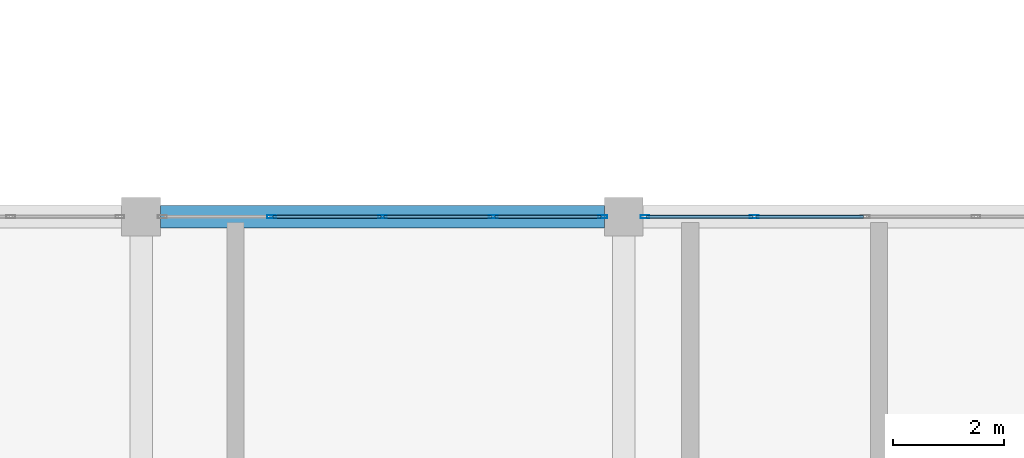
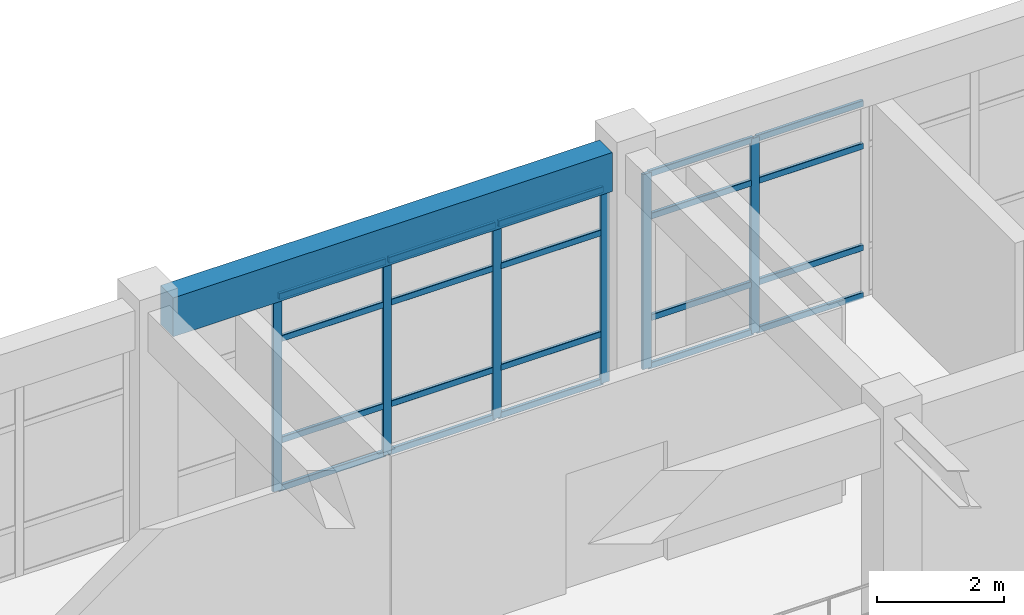
# One storey, part 34 of 64: 26 members, 1 beam, 2 elements without a shape of their own.
"""IFC4 building model written with IfcOpenShell, lengths in metres."""

import ifcopenshell
import ifcopenshell.guid

model = None  # the IFC model being written
_history = None  # IfcOwnerHistory: only IFC2X3 demands one
_inside = {}  # id of a spatial element -> (the spatial element, [elements in it])
_under = {}  # id of a project, library or spatial element -> (it, [spatial elements below it])
_declared = {}  # id of a project -> (the project, [libraries it declares])
_typed = {}  # id of a type object -> (the type object, [elements of that type])
_made_of = {}  # id of a material, layer set ... -> (it, [elements and type objects made of it])


def new_model(schema):
    """Start an empty IFC model of exactly this schema.

    Asked for "IFC4X3", IfcOpenShell would pick the latest addendum, in which some entities
    have other attributes; the version numbers below select the first issue.
    IFC2X3 requires an IfcOwnerHistory on every rooted entity: one is made here for all.
    """
    global model, _history
    if schema == "IFC4X3":
        model = ifcopenshell.file(schema_version=(4, 3, 0, 0))
    else:
        model = ifcopenshell.file(schema=schema)
    _inside.clear()
    _under.clear()
    _declared.clear()
    _typed.clear()
    _made_of.clear()
    _history = None
    if model.schema == "IFC2X3":
        org = make("IfcOrganization", Name="unknown")
        user = make(
            "IfcPersonAndOrganization",
            ThePerson=make("IfcPerson", FamilyName="unknown"),
            TheOrganization=org,
        )
        app = make(
            "IfcApplication",
            ApplicationDeveloper=org,
            Version="unknown",
            ApplicationFullName="unknown",
            ApplicationIdentifier="unknown",
        )
        _history = make(
            "IfcOwnerHistory",
            OwningUser=user,
            OwningApplication=app,
            ChangeAction="ADDED",
            CreationDate=0,
        )
    return model


def make(cls, **values):
    """One entity of the class cls with the attributes given. An attribute that is None is left unset."""
    return model.create_entity(
        cls, **{name: value for name, value in values.items() if value is not None}
    )


def rooted(cls, **values):
    """An entity with a GlobalId (a new one), such as an element, a storey or a relation."""
    return make(cls, GlobalId=ifcopenshell.guid.new(), OwnerHistory=_history, **values)


def si_unit(unit_type, name, prefix=None):
    """IfcSIUnit, for example si_unit("LENGTHUNIT", "METRE", prefix="MILLI")."""
    return make("IfcSIUnit", UnitType=unit_type, Prefix=prefix, Name=name)


def derived_unit(unit_type, elements):
    """IfcDerivedUnit: a product of units, each with its exponent."""
    return make(
        "IfcDerivedUnit",
        Elements=[
            make("IfcDerivedUnitElement", Unit=unit, Exponent=power)
            for unit, power in elements
        ],
        UnitType=unit_type,
    )


def assignment(units):
    """IfcUnitAssignment: the units of a project."""
    return None if units is None else make("IfcUnitAssignment", Units=units)


def point(xyz):
    """IfcCartesianPoint."""
    return None if xyz is None else make("IfcCartesianPoint", Coordinates=xyz)


def direction(xyz):
    """IfcDirection."""
    return None if xyz is None else make("IfcDirection", DirectionRatios=xyz)


def frame(location, z_axis=None, x_axis=None):
    """IfcAxis2Placement3D, a coordinate frame: its origin and axes. An axis left out is left unset."""
    return make(
        "IfcAxis2Placement3D",
        Location=point(location),
        Axis=direction(z_axis),
        RefDirection=direction(x_axis),
    )


def frame_2d(location, x_axis=None):
    """IfcAxis2Placement2D, a coordinate frame in the plane: its origin and x axis."""
    return make(
        "IfcAxis2Placement2D", Location=point(location), RefDirection=direction(x_axis)
    )


def origin():
    """The frame at (0, 0, 0) with its axes left unset."""
    return frame((0.0, 0.0, 0.0))


def origin_2d():
    """The frame at (0, 0) in the plane with its x axis left unset."""
    return frame_2d((0.0, 0.0))


def place(relative_to, where):
    """IfcLocalPlacement: puts the frame where relative to a parent placement (None: the world)."""
    return make(
        "IfcLocalPlacement", PlacementRelTo=relative_to, RelativePlacement=where
    )


def context(
    kind, dimensions, precision=None, world=None, true_north=None, identifier=None
):
    """IfcGeometricRepresentationContext, for example the 3D "Model" context."""
    return make(
        "IfcGeometricRepresentationContext",
        ContextIdentifier=identifier,
        ContextType=kind,
        CoordinateSpaceDimension=dimensions,
        Precision=precision,
        WorldCoordinateSystem=world,
        TrueNorth=true_north,
    )


def subcontext(parent, identifier, kind, view, scale=None):
    """IfcGeometricRepresentationSubContext, for example "Body" below "Model"."""
    return make(
        "IfcGeometricRepresentationSubContext",
        ContextIdentifier=identifier,
        ContextType=kind,
        ParentContext=parent,
        TargetScale=scale,
        TargetView=view,
    )


def project(units=None, contexts=None):
    """IfcProject with its units and contexts."""
    return rooted(
        "IfcProject",
        Name="project",
        RepresentationContexts=contexts,
        UnitsInContext=assignment(units),
    )


def spatial(cls, under=None, at=None, **own):
    """A site, building, storey or space (cls), placed at a placement, below another one or the project."""
    s = rooted(cls, ObjectPlacement=at, **own)
    if under is not None:
        _under.setdefault(under.id(), (under, []))[1].append(s)
    return s


def profile(cls, at=None, kind="AREA", **sizes):
    """A parametric profile (cls). Its sizes go by their IFC names, for example OverallWidth=200.0."""
    return make(cls, ProfileType=kind, Position=at, **sizes)


def rectangle(**sizes):
    """IfcRectangleProfileDef."""
    return profile("IfcRectangleProfileDef", **sizes)


def hollow_rectangle(**sizes):
    """IfcRectangleHollowProfileDef."""
    return profile("IfcRectangleHollowProfileDef", **sizes)


def extrude(swept, where, along, depth):
    """IfcExtrudedAreaSolid: the profile swept, set in the frame where, extruded along a direction by depth."""
    return make(
        "IfcExtrudedAreaSolid",
        SweptArea=swept,
        Position=where,
        ExtrudedDirection=direction(along),
        Depth=depth,
    )


def shape(context_of_items, identifier, shape_type, items):
    """IfcShapeRepresentation: the items that make up one representation, for example the "Body"."""
    return make(
        "IfcShapeRepresentation",
        ContextOfItems=context_of_items,
        RepresentationIdentifier=identifier,
        RepresentationType=shape_type,
        Items=items,
    )


def material(Name=None, Category=None):
    """IfcMaterial."""
    return make("IfcMaterial", Name=Name, Category=Category)


def layer(
    of_material, thickness, ventilated=None, Name=None, Category=None, Priority=None
):
    """IfcMaterialLayer: one layer of a wall or slab, of a material (None: an air gap)."""
    return make(
        "IfcMaterialLayer",
        Material=of_material,
        LayerThickness=thickness,
        IsVentilated=ventilated,
        Name=Name,
        Category=Category,
        Priority=Priority,
    )


def layer_set(layers, Name=None):
    """IfcMaterialLayerSet."""
    return make("IfcMaterialLayerSet", MaterialLayers=layers, LayerSetName=Name)


def material_profile(
    of_material, cross_section, Name=None, Category=None, Priority=None
):
    """IfcMaterialProfile: a cross section and its material."""
    return make(
        "IfcMaterialProfile",
        Name=Name,
        Material=of_material,
        Profile=cross_section,
        Priority=Priority,
        Category=Category,
    )


def profile_set(profiles, Name=None, composite=None):
    """IfcMaterialProfileSet."""
    return make(
        "IfcMaterialProfileSet",
        Name=Name,
        MaterialProfiles=profiles,
        CompositeProfile=composite,
    )


def made_of(thing, what):
    """Note that an element or type object is made of a material, layer set ...; save() writes the relation."""
    if what is not None:
        _made_of.setdefault(what.id(), (what, []))[1].append(thing)
    return thing


def type_object(cls, material=None, **own):
    """A type object (cls), such as IfcWallType, which elements share."""
    return made_of(rooted(cls, **own), material)


def element(
    cls,
    number,
    at=None,
    inside=None,
    cuts=None,
    type_object=None,
    material=None,
    context=None,
    identifier="Body",
    shape_type=None,
    held_by="IfcProductDefinitionShape",
    body=None,
    shapes=None,
    **own,
):
    """One element of the class cls, such as IfcWall. Its Tag is "e" and its number.

    at: its placement. inside: the storey or other place that contains it. cuts: it is an
    opening in that element (IfcRelVoidsElement). A single representation is given by context,
    identifier, shape_type and body (its items); several are given by shapes. held_by: the class
    of the entity that holds the representations. save() writes the other relations.
    """
    e = rooted(cls, Tag="e%d" % number, ObjectPlacement=at, **own)
    if body is not None:
        shapes = [shape(context, identifier, shape_type, body)]
    if shapes is not None:
        e.Representation = make(held_by, Representations=shapes)
    if inside is not None:
        _inside.setdefault(inside.id(), (inside, []))[1].append(e)
    if cuts is not None:
        rooted(
            "IfcRelVoidsElement", RelatingBuildingElement=cuts, RelatedOpeningElement=e
        )
    if type_object is not None:
        _typed.setdefault(type_object.id(), (type_object, []))[1].append(e)
    return made_of(e, material)


def aggregate(whole, parts):
    """IfcRelAggregates: a whole, such as a stair, and the parts it consists of."""
    return rooted("IfcRelAggregates", RelatingObject=whole, RelatedObjects=parts)


def save(model, path):
    """Write the relations noted so far, then the file.

    IfcRelAggregates (storeys below a building ...), IfcRelContainedInSpatialStructure (elements
    in a storey), IfcRelDefinesByType, IfcRelAssociatesMaterial and IfcRelDeclares: one each for
    every whole, place, type object, material and project.
    """
    for whole, parts in _under.values():
        aggregate(whole, parts)
    for where, things in _inside.values():
        rooted(
            "IfcRelContainedInSpatialStructure",
            RelatedElements=things,
            RelatingStructure=where,
        )
    for kind, things in _typed.values():
        rooted("IfcRelDefinesByType", RelatedObjects=things, RelatingType=kind)
    for what, things in _made_of.values():
        rooted("IfcRelAssociatesMaterial", RelatedObjects=things, RelatingMaterial=what)
    for by, libraries in _declared.values():
        rooted("IfcRelDeclares", RelatingContext=by, RelatedDefinitions=libraries)
    model.write(path)


model = new_model("IFC4")

# Units and contexts
model_context = context("Model", 3, precision=1e-05, world=origin(), true_north=direction((0.0, 1.0)))
body_context = subcontext(model_context, "Body", "Model", "MODEL_VIEW")
ifc_project = project(units=[si_unit("LENGTHUNIT", "METRE"), si_unit("AREAUNIT", "SQUARE_METRE"), si_unit("VOLUMEUNIT", "CUBIC_METRE"), si_unit("PLANEANGLEUNIT", "RADIAN"), si_unit("MASSUNIT", "GRAM", prefix="KILO"), derived_unit("THERMALTRANSMITTANCEUNIT", [(si_unit("MASSUNIT", "GRAM", prefix="KILO"), 1), (si_unit("TIMEUNIT", "SECOND"), -3), (si_unit("THERMODYNAMICTEMPERATUREUNIT", "KELVIN"), -1)])], contexts=[model_context])

# Site, building, storey
site_placement = place(None, origin())
site = spatial("IfcSite", under=ifc_project, at=site_placement, CompositionType="ELEMENT")
building_placement = place(site_placement, origin())
building = spatial("IfcBuilding", under=site, at=building_placement, Name="Qinzheling Arcade Emporium", CompositionType="ELEMENT")
storey_placement = place(building_placement, frame((0.0, 0.0, 31.5)))
storey = spatial("IfcBuildingStorey", under=building, at=storey_placement, Name="L07", CompositionType="ELEMENT", Elevation=31.5)

# Curtain wall, members
ifc_material_1 = material(Name="Anodised aluminium and solar-control double glazing", Category="aluminium")
ifc_layer = layer(ifc_material_1, 0.159912109375, Name="Anodised aluminium and solar-control double glazing", Category="aluminium")
ifc_layer_set = layer_set([ifc_layer], Name="Anodised aluminium and solar-control double glazing")
curtain_wall_type = type_object("IfcCurtainWallType", Name="Atrium Clerestory Curtain Wall", PredefinedType="NOTDEFINED", material=ifc_layer_set)
curtain_wall_1_placement = place(storey_placement, origin())
curtain_wall_1 = element("IfcCurtainWall", 1, at=curtain_wall_1_placement, inside=storey, type_object=curtain_wall_type, Name="Curtain Wall CW-L07-421", PredefinedType="NOTDEFINED")
ifc_material_2 = material(Name="Anodised aluminium 6063-T6", Category="aluminium")
ifc_material_profile_1 = material_profile(ifc_material_2, hollow_rectangle(XDim=0.06005859375, YDim=0.159912109375, WallThickness=0.00390625, InnerFilletRadius=0.00390625, OuterFilletRadius=0.008056640625, at=origin_2d()), Name="RHS 160x60x4", Category="aluminium")
ifc_profile_set_1 = profile_set([ifc_material_profile_1], Name="Anodised aluminium 6063-T6")
member_type_1 = type_object("IfcMemberType", Name="Curtain Wall Mullion RHS160x60", PredefinedType="MULLION", material=ifc_profile_set_1)
member_1_placement = place(storey_placement, frame((80.65087890625, 73.800048828125, 0.0), z_axis=(0.0, 0.0, 1.0), x_axis=(0.0, 1.0, 0.0)))
member_1 = element("IfcMember", 2, at=member_1_placement, type_object=member_type_1, Name="CW03 mullion 2", PredefinedType="MULLION", context=body_context, shape_type="SweptSolid", body=[
    extrude(hollow_rectangle(XDim=0.06005859375, YDim=0.159912109375, WallThickness=0.00390625, InnerFilletRadius=0.00390625, OuterFilletRadius=0.008056640625, at=origin_2d()), origin(), (0.0, 0.0, 1.0), 3.7548828125),
])
member_2_placement = place(storey_placement, frame((82.64990234375, 73.800048828125, 0.0), z_axis=(0.0, 0.0, 1.0), x_axis=(0.0, 1.0, 0.0)))
member_2 = element("IfcMember", 3, at=member_2_placement, type_object=member_type_1, Name="CW03 mullion 3", PredefinedType="MULLION", context=body_context, shape_type="SweptSolid", body=[
    extrude(hollow_rectangle(XDim=0.06005859375, YDim=0.159912109375, WallThickness=0.00390625, InnerFilletRadius=0.00390625, OuterFilletRadius=0.008056640625, at=origin_2d()), origin(), (0.0, 0.0, 1.0), 3.7548828125),
])
member_3_placement = place(storey_placement, frame((84.64892578125, 73.800048828125, 0.0), z_axis=(0.0, 0.0, 1.0), x_axis=(0.0, 1.0, 0.0)))
member_3 = element("IfcMember", 4, at=member_3_placement, type_object=member_type_1, Name="CW03 mullion 4", PredefinedType="MULLION", context=body_context, shape_type="SweptSolid", body=[
    extrude(hollow_rectangle(XDim=0.06005859375, YDim=0.159912109375, WallThickness=0.00390625, InnerFilletRadius=0.00390625, OuterFilletRadius=0.008056640625, at=origin_2d()), origin(), (0.0, 0.0, 1.0), 3.7548828125),
])
member_4_placement = place(storey_placement, frame((86.617919921875, 73.800048828125, 0.0), z_axis=(0.0, 0.0, 1.0), x_axis=(0.0, 1.0, 0.0)))
member_4 = element("IfcMember", 5, at=member_4_placement, type_object=member_type_1, Name="CW03 mullion 5", PredefinedType="MULLION", context=body_context, shape_type="SweptSolid", body=[
    extrude(hollow_rectangle(XDim=0.06005859375, YDim=0.159912109375, WallThickness=0.00390625, InnerFilletRadius=0.00390625, OuterFilletRadius=0.008056640625, at=origin_2d()), origin(), (0.0, 0.0, 1.0), 3.7548828125),
])

curtain_wall_2_placement = place(storey_placement, origin())
curtain_wall_2 = element("IfcCurtainWall", 6, at=curtain_wall_2_placement, inside=storey, type_object=curtain_wall_type, Name="Curtain Wall CW-L07-422", PredefinedType="NOTDEFINED")
member_5_placement = place(storey_placement, frame((87.382080078125, 73.800048828125, 0.0), z_axis=(0.0, 0.0, 1.0), x_axis=(0.0, 1.0, 0.0)))
member_5 = element("IfcMember", 7, at=member_5_placement, type_object=member_type_1, Name="CW03 mullion 1", PredefinedType="MULLION", context=body_context, shape_type="SweptSolid", body=[
    extrude(hollow_rectangle(XDim=0.06005859375, YDim=0.159912109375, WallThickness=0.00390625, InnerFilletRadius=0.00390625, OuterFilletRadius=0.008056640625, at=origin_2d()), origin(), (0.0, 0.0, 1.0), 3.7548828125),
])
member_6_placement = place(storey_placement, frame((89.35107421875, 73.800048828125, 0.0), z_axis=(0.0, 0.0, 1.0), x_axis=(0.0, 1.0, 0.0)))
member_6 = element("IfcMember", 8, at=member_6_placement, type_object=member_type_1, Name="CW03 mullion 2", PredefinedType="MULLION", context=body_context, shape_type="SweptSolid", body=[
    extrude(hollow_rectangle(XDim=0.06005859375, YDim=0.159912109375, WallThickness=0.00390625, InnerFilletRadius=0.00390625, OuterFilletRadius=0.008056640625, at=origin_2d()), origin(), (0.0, 0.0, 1.0), 3.7548828125),
])

# Member
ifc_material_profile_2 = material_profile(ifc_material_2, hollow_rectangle(XDim=0.06005859375, YDim=0.1201171875, WallThickness=0.00390625, InnerFilletRadius=0.00390625, OuterFilletRadius=0.008056640625, at=origin_2d()), Name="RHS 120x60x4", Category="aluminium")
ifc_profile_set_2 = profile_set([ifc_material_profile_2], Name="Anodised aluminium 6063-T6")
member_type_2 = type_object("IfcMemberType", Name="Curtain Wall Transom RHS120x60", PredefinedType="USERDEFINED", material=ifc_profile_set_2)
member_7_placement = place(storey_placement, frame((80.680908203125, 73.800048828125, 0.030029296875), z_axis=(1.0, 0.0, 0.0), x_axis=(0.0, 1.0, 0.0)))
member_7 = element("IfcMember", 9, at=member_7_placement, type_object=member_type_2, Name="CW03 transom 2.1", ObjectType="TRANSOM", PredefinedType="USERDEFINED", context=body_context, shape_type="SweptSolid", body=[
    extrude(hollow_rectangle(XDim=0.06005859375, YDim=0.1201171875, WallThickness=0.00390625, InnerFilletRadius=0.00390625, OuterFilletRadius=0.008056640625, at=origin_2d()), origin(), (0.0, 0.0, 1.0), 1.939208984375),
])

member_8_placement = place(storey_placement, frame((80.680908203125, 73.800048828125, 0.949951171875), z_axis=(1.0, 0.0, 0.0), x_axis=(0.0, 1.0, 0.0)))
member_8 = element("IfcMember", 10, at=member_8_placement, type_object=member_type_2, Name="CW03 transom 2.2", ObjectType="TRANSOM", PredefinedType="USERDEFINED", context=body_context, shape_type="SweptSolid", body=[
    extrude(hollow_rectangle(XDim=0.06005859375, YDim=0.1201171875, WallThickness=0.00390625, InnerFilletRadius=0.00390625, OuterFilletRadius=0.008056640625, at=origin_2d()), origin(), (0.0, 0.0, 1.0), 1.939208984375),
])

member_9_placement = place(storey_placement, frame((80.680908203125, 73.800048828125, 2.905029296875), z_axis=(1.0, 0.0, 0.0), x_axis=(0.0, 1.0, 0.0)))
member_9 = element("IfcMember", 11, at=member_9_placement, type_object=member_type_2, Name="CW03 transom 2.3", ObjectType="TRANSOM", PredefinedType="USERDEFINED", context=body_context, shape_type="SweptSolid", body=[
    extrude(hollow_rectangle(XDim=0.06005859375, YDim=0.1201171875, WallThickness=0.00390625, InnerFilletRadius=0.00390625, OuterFilletRadius=0.008056640625, at=origin_2d()), origin(), (0.0, 0.0, 1.0), 1.939208984375),
])

member_10_placement = place(storey_placement, frame((80.680908203125, 73.800048828125, 3.72509765625), z_axis=(1.0, 0.0, 0.0), x_axis=(0.0, 1.0, 0.0)))
member_10 = element("IfcMember", 12, at=member_10_placement, type_object=member_type_2, Name="CW03 transom 2.4", ObjectType="TRANSOM", PredefinedType="USERDEFINED", context=body_context, shape_type="SweptSolid", body=[
    extrude(hollow_rectangle(XDim=0.06005859375, YDim=0.1201171875, WallThickness=0.00390625, InnerFilletRadius=0.00390625, OuterFilletRadius=0.008056640625, at=origin_2d()), origin(), (0.0, 0.0, 1.0), 1.939208984375),
])

member_11_placement = place(storey_placement, frame((82.679931640625, 73.800048828125, 0.030029296875), z_axis=(1.0, 0.0, 0.0), x_axis=(0.0, 1.0, 0.0)))
member_11 = element("IfcMember", 13, at=member_11_placement, type_object=member_type_2, Name="CW03 transom 3.1", ObjectType="TRANSOM", PredefinedType="USERDEFINED", context=body_context, shape_type="SweptSolid", body=[
    extrude(hollow_rectangle(XDim=0.06005859375, YDim=0.1201171875, WallThickness=0.00390625, InnerFilletRadius=0.00390625, OuterFilletRadius=0.008056640625, at=origin_2d()), origin(), (0.0, 0.0, 1.0), 1.93896484375),
])

member_12_placement = place(storey_placement, frame((82.679931640625, 73.800048828125, 0.949951171875), z_axis=(1.0, 0.0, 0.0), x_axis=(0.0, 1.0, 0.0)))
member_12 = element("IfcMember", 14, at=member_12_placement, type_object=member_type_2, Name="CW03 transom 3.2", ObjectType="TRANSOM", PredefinedType="USERDEFINED", context=body_context, shape_type="SweptSolid", body=[
    extrude(hollow_rectangle(XDim=0.06005859375, YDim=0.1201171875, WallThickness=0.00390625, InnerFilletRadius=0.00390625, OuterFilletRadius=0.008056640625, at=origin_2d()), origin(), (0.0, 0.0, 1.0), 1.93896484375),
])

member_13_placement = place(storey_placement, frame((82.679931640625, 73.800048828125, 2.905029296875), z_axis=(1.0, 0.0, 0.0), x_axis=(0.0, 1.0, 0.0)))
member_13 = element("IfcMember", 15, at=member_13_placement, type_object=member_type_2, Name="CW03 transom 3.3", ObjectType="TRANSOM", PredefinedType="USERDEFINED", context=body_context, shape_type="SweptSolid", body=[
    extrude(hollow_rectangle(XDim=0.06005859375, YDim=0.1201171875, WallThickness=0.00390625, InnerFilletRadius=0.00390625, OuterFilletRadius=0.008056640625, at=origin_2d()), origin(), (0.0, 0.0, 1.0), 1.93896484375),
])

member_14_placement = place(storey_placement, frame((82.679931640625, 73.800048828125, 3.72509765625), z_axis=(1.0, 0.0, 0.0), x_axis=(0.0, 1.0, 0.0)))
member_14 = element("IfcMember", 16, at=member_14_placement, type_object=member_type_2, Name="CW03 transom 3.4", ObjectType="TRANSOM", PredefinedType="USERDEFINED", context=body_context, shape_type="SweptSolid", body=[
    extrude(hollow_rectangle(XDim=0.06005859375, YDim=0.1201171875, WallThickness=0.00390625, InnerFilletRadius=0.00390625, OuterFilletRadius=0.008056640625, at=origin_2d()), origin(), (0.0, 0.0, 1.0), 1.93896484375),
])

member_15_placement = place(storey_placement, frame((84.678955078125, 73.800048828125, 0.030029296875), z_axis=(1.0, 0.0, 0.0), x_axis=(0.0, 1.0, 0.0)))
member_15 = element("IfcMember", 17, at=member_15_placement, type_object=member_type_2, Name="CW03 transom 4.1", ObjectType="TRANSOM", PredefinedType="USERDEFINED", context=body_context, shape_type="SweptSolid", body=[
    extrude(hollow_rectangle(XDim=0.06005859375, YDim=0.1201171875, WallThickness=0.00390625, InnerFilletRadius=0.00390625, OuterFilletRadius=0.008056640625, at=origin_2d()), origin(), (0.0, 0.0, 1.0), 1.908935546875),
])

member_16_placement = place(storey_placement, frame((84.678955078125, 73.800048828125, 0.949951171875), z_axis=(1.0, 0.0, 0.0), x_axis=(0.0, 1.0, 0.0)))
member_16 = element("IfcMember", 18, at=member_16_placement, type_object=member_type_2, Name="CW03 transom 4.2", ObjectType="TRANSOM", PredefinedType="USERDEFINED", context=body_context, shape_type="SweptSolid", body=[
    extrude(hollow_rectangle(XDim=0.06005859375, YDim=0.1201171875, WallThickness=0.00390625, InnerFilletRadius=0.00390625, OuterFilletRadius=0.008056640625, at=origin_2d()), origin(), (0.0, 0.0, 1.0), 1.908935546875),
])

member_17_placement = place(storey_placement, frame((84.678955078125, 73.800048828125, 2.905029296875), z_axis=(1.0, 0.0, 0.0), x_axis=(0.0, 1.0, 0.0)))
member_17 = element("IfcMember", 19, at=member_17_placement, type_object=member_type_2, Name="CW03 transom 4.3", ObjectType="TRANSOM", PredefinedType="USERDEFINED", context=body_context, shape_type="SweptSolid", body=[
    extrude(hollow_rectangle(XDim=0.06005859375, YDim=0.1201171875, WallThickness=0.00390625, InnerFilletRadius=0.00390625, OuterFilletRadius=0.008056640625, at=origin_2d()), origin(), (0.0, 0.0, 1.0), 1.908935546875),
])

member_18_placement = place(storey_placement, frame((84.678955078125, 73.800048828125, 3.72509765625), z_axis=(1.0, 0.0, 0.0), x_axis=(0.0, 1.0, 0.0)))
member_18 = element("IfcMember", 20, at=member_18_placement, type_object=member_type_2, Name="CW03 transom 4.4", ObjectType="TRANSOM", PredefinedType="USERDEFINED", context=body_context, shape_type="SweptSolid", body=[
    extrude(hollow_rectangle(XDim=0.06005859375, YDim=0.1201171875, WallThickness=0.00390625, InnerFilletRadius=0.00390625, OuterFilletRadius=0.008056640625, at=origin_2d()), origin(), (0.0, 0.0, 1.0), 1.908935546875),
])

aggregate(curtain_wall_1, [member_1, member_2, member_3, member_4, member_7, member_8, member_9, member_10, member_11, member_12, member_13, member_14, member_15, member_16, member_17, member_18])

member_19_placement = place(storey_placement, frame((87.412109375, 73.800048828125, 0.030029296875), z_axis=(1.0, 0.0, 0.0), x_axis=(0.0, 1.0, 0.0)))
member_19 = element("IfcMember", 21, at=member_19_placement, type_object=member_type_2, Name="CW03 transom 1.1", ObjectType="TRANSOM", PredefinedType="USERDEFINED", context=body_context, shape_type="SweptSolid", body=[
    extrude(hollow_rectangle(XDim=0.06005859375, YDim=0.1201171875, WallThickness=0.00390625, InnerFilletRadius=0.00390625, OuterFilletRadius=0.008056640625, at=origin_2d()), origin(), (0.0, 0.0, 1.0), 1.908935546875),
])

member_20_placement = place(storey_placement, frame((87.412109375, 73.800048828125, 0.949951171875), z_axis=(1.0, 0.0, 0.0), x_axis=(0.0, 1.0, 0.0)))
member_20 = element("IfcMember", 22, at=member_20_placement, type_object=member_type_2, Name="CW03 transom 1.2", ObjectType="TRANSOM", PredefinedType="USERDEFINED", context=body_context, shape_type="SweptSolid", body=[
    extrude(hollow_rectangle(XDim=0.06005859375, YDim=0.1201171875, WallThickness=0.00390625, InnerFilletRadius=0.00390625, OuterFilletRadius=0.008056640625, at=origin_2d()), origin(), (0.0, 0.0, 1.0), 1.908935546875),
])

member_21_placement = place(storey_placement, frame((87.412109375, 73.800048828125, 2.905029296875), z_axis=(1.0, 0.0, 0.0), x_axis=(0.0, 1.0, 0.0)))
member_21 = element("IfcMember", 23, at=member_21_placement, type_object=member_type_2, Name="CW03 transom 1.3", ObjectType="TRANSOM", PredefinedType="USERDEFINED", context=body_context, shape_type="SweptSolid", body=[
    extrude(hollow_rectangle(XDim=0.06005859375, YDim=0.1201171875, WallThickness=0.00390625, InnerFilletRadius=0.00390625, OuterFilletRadius=0.008056640625, at=origin_2d()), origin(), (0.0, 0.0, 1.0), 1.908935546875),
])

member_22_placement = place(storey_placement, frame((87.412109375, 73.800048828125, 3.72509765625), z_axis=(1.0, 0.0, 0.0), x_axis=(0.0, 1.0, 0.0)))
member_22 = element("IfcMember", 24, at=member_22_placement, type_object=member_type_2, Name="CW03 transom 1.4", ObjectType="TRANSOM", PredefinedType="USERDEFINED", context=body_context, shape_type="SweptSolid", body=[
    extrude(hollow_rectangle(XDim=0.06005859375, YDim=0.1201171875, WallThickness=0.00390625, InnerFilletRadius=0.00390625, OuterFilletRadius=0.008056640625, at=origin_2d()), origin(), (0.0, 0.0, 1.0), 1.908935546875),
])

member_23_placement = place(storey_placement, frame((89.381103515625, 73.800048828125, 0.030029296875), z_axis=(1.0, 0.0, 0.0), x_axis=(0.0, 1.0, 0.0)))
member_23 = element("IfcMember", 25, at=member_23_placement, type_object=member_type_2, Name="CW03 transom 2.1", ObjectType="TRANSOM", PredefinedType="USERDEFINED", context=body_context, shape_type="SweptSolid", body=[
    extrude(hollow_rectangle(XDim=0.06005859375, YDim=0.1201171875, WallThickness=0.00390625, InnerFilletRadius=0.00390625, OuterFilletRadius=0.008056640625, at=origin_2d()), origin(), (0.0, 0.0, 1.0), 1.93896484375),
])

member_24_placement = place(storey_placement, frame((89.381103515625, 73.800048828125, 0.949951171875), z_axis=(1.0, 0.0, 0.0), x_axis=(0.0, 1.0, 0.0)))
member_24 = element("IfcMember", 26, at=member_24_placement, type_object=member_type_2, Name="CW03 transom 2.2", ObjectType="TRANSOM", PredefinedType="USERDEFINED", context=body_context, shape_type="SweptSolid", body=[
    extrude(hollow_rectangle(XDim=0.06005859375, YDim=0.1201171875, WallThickness=0.00390625, InnerFilletRadius=0.00390625, OuterFilletRadius=0.008056640625, at=origin_2d()), origin(), (0.0, 0.0, 1.0), 1.93896484375),
])

member_25_placement = place(storey_placement, frame((89.381103515625, 73.800048828125, 2.905029296875), z_axis=(1.0, 0.0, 0.0), x_axis=(0.0, 1.0, 0.0)))
member_25 = element("IfcMember", 27, at=member_25_placement, type_object=member_type_2, Name="CW03 transom 2.3", ObjectType="TRANSOM", PredefinedType="USERDEFINED", context=body_context, shape_type="SweptSolid", body=[
    extrude(hollow_rectangle(XDim=0.06005859375, YDim=0.1201171875, WallThickness=0.00390625, InnerFilletRadius=0.00390625, OuterFilletRadius=0.008056640625, at=origin_2d()), origin(), (0.0, 0.0, 1.0), 1.93896484375),
])

member_26_placement = place(storey_placement, frame((89.381103515625, 73.800048828125, 3.72509765625), z_axis=(1.0, 0.0, 0.0), x_axis=(0.0, 1.0, 0.0)))
member_26 = element("IfcMember", 28, at=member_26_placement, type_object=member_type_2, Name="CW03 transom 2.4", ObjectType="TRANSOM", PredefinedType="USERDEFINED", context=body_context, shape_type="SweptSolid", body=[
    extrude(hollow_rectangle(XDim=0.06005859375, YDim=0.1201171875, WallThickness=0.00390625, InnerFilletRadius=0.00390625, OuterFilletRadius=0.008056640625, at=origin_2d()), origin(), (0.0, 0.0, 1.0), 1.93896484375),
])

aggregate(curtain_wall_2, [member_5, member_6, member_19, member_20, member_21, member_22, member_23, member_24, member_25, member_26])

# Beam
ifc_material_3 = material(Name="Concrete C40", Category="concrete")
ifc_material_profile_3 = material_profile(ifc_material_3, rectangle(XDim=0.39990234375, YDim=0.75, at=origin_2d()), Name="RC 400x750", Category="concrete")
ifc_profile_set_3 = profile_set([ifc_material_profile_3], Name="Concrete C40")
beam_type = type_object("IfcBeamType", Name="RC Interior Tie Beam 400x750 C40", PredefinedType="BEAM", material=ifc_profile_set_3)
beam_placement = place(storey_placement, frame((78.64990234375, 73.800048828125, 4.14501953125), z_axis=(1.0, 0.0, 0.0), x_axis=(0.0, 1.0, 0.0)))
element("IfcBeam", 29, at=beam_placement, inside=storey, type_object=beam_type, Name="Beam BM-L07-X-J-10", PredefinedType="BEAM", context=body_context, shape_type="SweptSolid", body=[
    extrude(rectangle(XDim=0.39990234375, YDim=0.75, at=origin_2d()), origin(), (0.0, 0.0, 1.0), 8.0),
])

save(model, "model.ifc")
